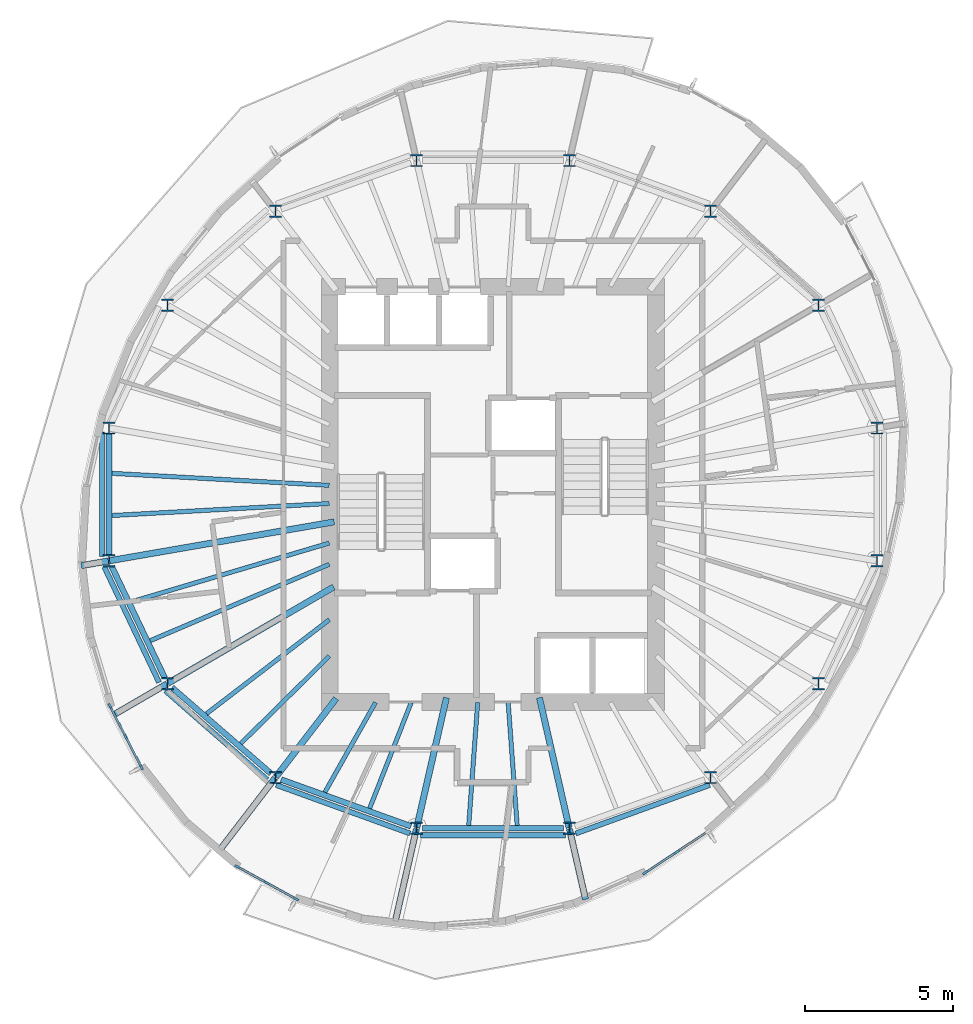
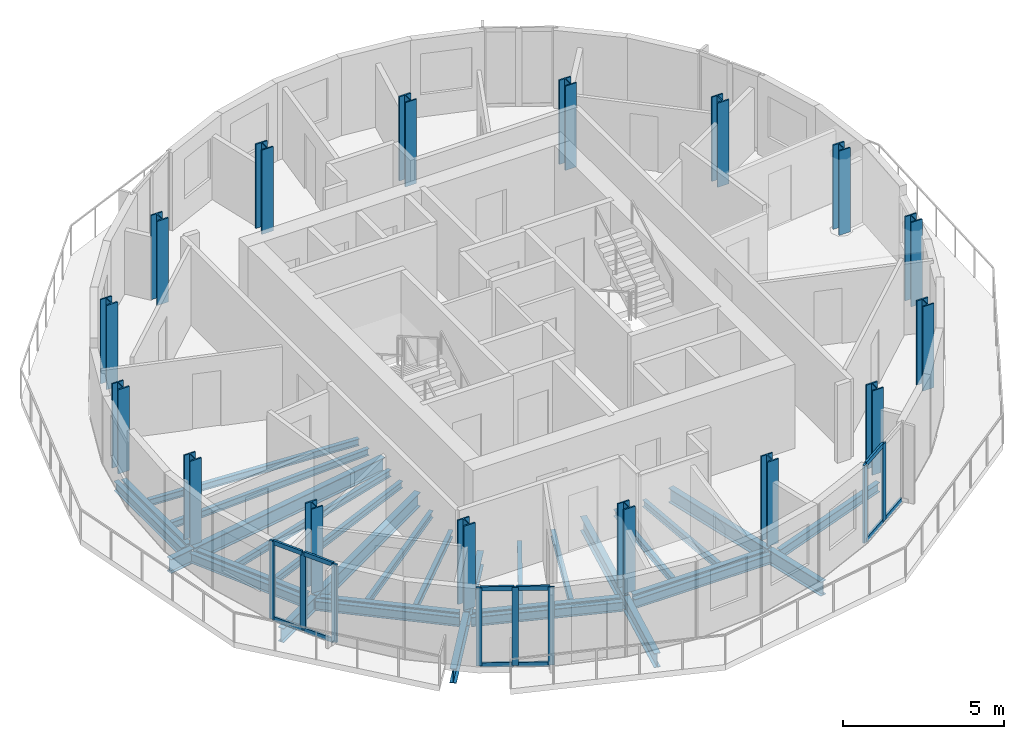
# One storey, part 1 of 11: 31 beams, 19 members, 16 columns, 3 elements without a shape of their own.
"""IFC4 building model written with IfcOpenShell, lengths in metres."""

from ifc_helpers import new_model, si_unit, direction, frame, origin, origin_2d, place, context, subcontext, project, spatial, rectangle, i_section, extrude, material, material_profile, profile_set, type_object, element, aggregate, save


model = new_model("IFC4")

# Units and contexts
model_context = context("Model", 3, precision=1e-05, world=origin(), true_north=direction((0.0, 1.0)))
body_context = subcontext(model_context, "Body", "Model", "MODEL_VIEW")
ifc_project = project(units=[si_unit("LENGTHUNIT", "METRE"), si_unit("AREAUNIT", "SQUARE_METRE"), si_unit("VOLUMEUNIT", "CUBIC_METRE"), si_unit("PLANEANGLEUNIT", "RADIAN"), si_unit("MASSUNIT", "GRAM", prefix="KILO")], contexts=[model_context])

# Site, building, storey
site_placement = place(None, origin())
site = spatial("IfcSite", under=ifc_project, at=site_placement, CompositionType="ELEMENT")
building_placement = place(site_placement, origin())
building = spatial("IfcBuilding", under=site, at=building_placement, Name="Veldorim Arch Residences", CompositionType="ELEMENT")
storey_placement = place(building_placement, frame((0.0, 0.0, 223.840087890625)))
storey = spatial("IfcBuildingStorey", under=building, at=storey_placement, Name="L67", CompositionType="ELEMENT", Elevation=223.840087890625)

# Columns
ifc_material_1 = material(Name="Steel S460", Category="steel")
ifc_material_profile_1 = material_profile(ifc_material_1, i_section(OverallWidth=0.406982421875, OverallDepth=0.4189453125, WebThickness=0.030517578125, FlangeThickness=0.04931640625, at=origin_2d()), Name="UC356x406x393")
ifc_profile_set_1 = profile_set([ifc_material_profile_1], Name="Steel S460")
column_type = type_object("IfcColumnType", Name="Structural Column UC356x406x393", PredefinedType="COLUMN", material=ifc_profile_set_1)
for number, where, z_axis, x_axis, name in (
    (1, (44.9462890625, 26.239501953125, 0.0), (0.0, 0.0, 1.0), (1.0, 0.0, 0.0), "L67 TC-Z4-01 perimeter column"),
    (2, (42.975341796875, 30.3779296875, 0.0), (0.0, 0.0, 1.0), (1.0, 0.0, 0.0), "L67 TC-Z4-02 perimeter column"),
    (3, (39.33349609375, 33.54541015625, 0.0), (0.0, 0.0, 1.0), (1.0, 0.0, 0.0), "L67 TC-Z4-03 perimeter column"),
    (4, (34.5751953125, 35.259521484375, 0.0), (0.0, 0.0, 1.0), (1.0, 0.0, 0.0), "L67 TC-Z4-04 perimeter column"),
    (5, (29.4248046875, 35.259521484375, 0.0), (0.0, 0.0, 1.0), (1.0, 0.0, 0.0), "L67 TC-Z4-05 perimeter column"),
    (6, (24.66650390625, 33.54541015625, 0.0), (0.0, 0.0, 1.0), (1.0, 0.0, 0.0), "L67 TC-Z4-06 perimeter column"),
    (7, (21.024658203125, 30.3779296875, 0.0), (0.0, 0.0, 1.0), (1.0, 0.0, 0.0), "L67 TC-Z4-07 perimeter column"),
    (8, (19.0537109375, 26.239501953125, 0.0), (0.0, 0.0, 1.0), (1.0, 0.0, 0.0), "L67 TC-Z4-08 perimeter column"),
    (9, (19.0537109375, 21.760498046875, 0.0), (0.0, 0.0, 1.0), (1.0, 0.0, 0.0), "L67 TC-Z4-09 perimeter column"),
    (10, (21.024658203125, 17.6220703125, 0.0), (0.0, 0.0, 1.0), (1.0, 0.0, 0.0), "L67 TC-Z4-10 perimeter column"),
    (11, (24.66650390625, 14.45458984375, 0.0), (0.0, 0.0, 1.0), (1.0, 0.0, 0.0), "L67 TC-Z4-11 perimeter column"),
    (12, (29.4248046875, 12.740478515625, 0.0), (0.0, 0.0, 1.0), (1.0, 0.0, 0.0), "L67 TC-Z4-12 perimeter column"),
    (13, (34.5751953125, 12.740478515625, 0.0), (0.0, 0.0, 1.0), (1.0, 0.0, 0.0), "L67 TC-Z4-13 perimeter column"),
    (14, (39.33349609375, 14.45458984375, 0.0), (0.0, 0.0, 1.0), (1.0, 0.0, 0.0), "L67 TC-Z4-14 perimeter column"),
    (15, (42.975341796875, 17.6220703125, 0.0), (0.0, 0.0, 1.0), (1.0, 0.0, 0.0), "L67 TC-Z4-15 perimeter column"),
    (16, (44.9462890625, 21.760498046875, 0.0), (0.0, 0.0, 1.0), (1.0, 0.0, 0.0), "L67 TC-Z4-16 perimeter column"),
):
    element("IfcColumn", number, at=place(storey_placement, frame(where, z_axis=z_axis, x_axis=x_axis)), inside=storey, type_object=column_type, Name=name, PredefinedType="COLUMN", context=body_context, shape_type="SweptSolid", body=[
        extrude(i_section(OverallWidth=0.406982421875, OverallDepth=0.4189453125, WebThickness=0.030517578125, FlangeThickness=0.04931640625, at=origin_2d()), origin(), (0.0, 0.0, 1.0), 3.199951171875),
    ])

# Beams
ifc_material_2 = material(Name="Steel S355", Category="steel")
ifc_material_profile_2 = material_profile(ifc_material_2, i_section(OverallWidth=0.2119140625, OverallDepth=0.54443359375, WebThickness=0.0126953125, FlangeThickness=0.021240234375, at=origin_2d()), Name="UB533x210x122")
ifc_profile_set_2 = profile_set([ifc_material_profile_2], Name="Steel S355")
beam_type_1 = type_object("IfcBeamType", Name="Structural Steel Beam UB533x210x122", PredefinedType="BEAM", material=ifc_profile_set_2)
beam_1_placement = place(storey_placement, frame((26.647705078125, 23.07421875, -0.512451171875), z_axis=(-0.985364974081, -0.170457818401, 0.0), x_axis=(0.170457818401, -0.985364974081, 0.0)))
element("IfcBeam", 17, at=beam_1_placement, inside=storey, type_object=beam_type_1, Name="L67 radial floor girder 09", PredefinedType="BEAM", context=body_context, shape_type="SweptSolid", body=[
    extrude(i_section(OverallWidth=0.2119140625, OverallDepth=0.54443359375, WebThickness=0.0126953125, FlangeThickness=0.021240234375, at=origin_2d()), origin(), (0.0, 0.0, 1.0), 7.68701171875),
])
beam_2_placement = place(storey_placement, frame((19.033935546875, 21.757080078125, -0.512451171875), z_axis=(-0.985342848414, -0.170585670791, 0.0), x_axis=(0.170585670791, -0.985342848414, 0.0)))
element("IfcBeam", 18, at=beam_2_placement, inside=storey, type_object=beam_type_1, Name="L67 radial edge cantilever girder 09", PredefinedType="BEAM", context=body_context, shape_type="SweptSolid", body=[
    extrude(i_section(OverallWidth=0.2119140625, OverallDepth=0.54443359375, WebThickness=0.0126953125, FlangeThickness=0.021240234375, at=origin_2d()), origin(), (0.0, 0.0, 1.0), 0.927490234375),
])
beam_3_placement = place(storey_placement, frame((26.629638671875, 20.87939453125, -0.512451171875), z_axis=(-0.864595736304, -0.502468121142, 0.0), x_axis=(0.502468121142, -0.864595736304, 0.0)))
element("IfcBeam", 19, at=beam_3_placement, inside=storey, type_object=beam_type_1, Name="L67 radial floor girder 10", PredefinedType="BEAM", context=body_context, shape_type="SweptSolid", body=[
    extrude(i_section(OverallWidth=0.2119140625, OverallDepth=0.54443359375, WebThickness=0.0126953125, FlangeThickness=0.021240234375, at=origin_2d()), origin(), (0.0, 0.0, 1.0), 6.462646484375),
])
beam_4_placement = place(storey_placement, frame((21.00732421875, 17.612060546875, -0.512451171875), z_axis=(-0.864613318974, -0.502437865465, 0.0), x_axis=(0.502437865465, -0.864613318974, 0.0)))
element("IfcBeam", 20, at=beam_4_placement, inside=storey, type_object=beam_type_1, Name="L67 radial edge cantilever girder 10", PredefinedType="BEAM", context=body_context, shape_type="SweptSolid", body=[
    extrude(i_section(OverallWidth=0.2119140625, OverallDepth=0.54443359375, WebThickness=0.0126953125, FlangeThickness=0.021240234375, at=origin_2d()), origin(), (0.0, 0.0, 1.0), 2.045166015625),
])
beam_5_placement = place(storey_placement, frame((26.71337890625, 17.118896484375, -0.512451171875), z_axis=(-0.609258442308, -0.792971721108, 0.0), x_axis=(0.792971721108, -0.609258442308, 0.0)))
element("IfcBeam", 21, at=beam_5_placement, inside=storey, type_object=beam_type_1, Name="L67 radial floor girder 11", PredefinedType="BEAM", context=body_context, shape_type="SweptSolid", body=[
    extrude(i_section(OverallWidth=0.2119140625, OverallDepth=0.54443359375, WebThickness=0.0126953125, FlangeThickness=0.021240234375, at=origin_2d()), origin(), (0.0, 0.0, 1.0), 3.339599609375),
])
beam_6_placement = place(storey_placement, frame((24.654296875, 14.438720703125, -0.512451171875), z_axis=(-0.609235463965, -0.792989375369, 0.0), x_axis=(0.792989375369, -0.609235463965, 0.0)))
element("IfcBeam", 22, at=beam_6_placement, inside=storey, type_object=beam_type_1, Name="L67 radial edge cantilever girder 11", PredefinedType="BEAM", context=body_context, shape_type="SweptSolid", body=[
    extrude(i_section(OverallWidth=0.2119140625, OverallDepth=0.54443359375, WebThickness=0.0126953125, FlangeThickness=0.021240234375, at=origin_2d()), origin(), (0.0, 0.0, 1.0), 3.103759765625),
])
beam_7_placement = place(storey_placement, frame((30.432373046875, 17.146240234375, -0.512451171875), z_axis=(-0.222952976993, -0.97482920045, 0.0), x_axis=(0.97482920045, -0.222952976993, 0.0)))
element("IfcBeam", 23, at=beam_7_placement, inside=storey, type_object=beam_type_1, Name="L67 radial floor girder 12", PredefinedType="BEAM", context=body_context, shape_type="SweptSolid", body=[
    extrude(i_section(OverallWidth=0.2119140625, OverallDepth=0.54443359375, WebThickness=0.0126953125, FlangeThickness=0.021240234375, at=origin_2d()), origin(), (0.0, 0.0, 1.0), 4.49951171875),
])
beam_8_placement = place(storey_placement, frame((29.42041015625, 12.72119140625, -0.512451171875), z_axis=(-0.223019615736, -0.97481395712, 0.0), x_axis=(0.97481395712, -0.223019615736, 0.0)))
element("IfcBeam", 24, at=beam_8_placement, inside=storey, type_object=beam_type_1, Name="L67 radial edge cantilever girder 12", PredefinedType="BEAM", context=body_context, shape_type="SweptSolid", body=[
    extrude(i_section(OverallWidth=0.2119140625, OverallDepth=0.54443359375, WebThickness=0.0126953125, FlangeThickness=0.021240234375, at=origin_2d()), origin(), (0.0, 0.0, 1.0), 3.2666015625),
])
beam_9_placement = place(storey_placement, frame((33.567626953125, 17.146240234375, -0.512451171875), z_axis=(0.222952976993, -0.97482920045, 0.0), x_axis=(0.97482920045, 0.222952976993, 0.0)))
element("IfcBeam", 25, at=beam_9_placement, inside=storey, type_object=beam_type_1, Name="L67 radial floor girder 13", PredefinedType="BEAM", context=body_context, shape_type="SweptSolid", body=[
    extrude(i_section(OverallWidth=0.2119140625, OverallDepth=0.54443359375, WebThickness=0.0126953125, FlangeThickness=0.021240234375, at=origin_2d()), origin(), (0.0, 0.0, 1.0), 4.49951171875),
])
beam_10_placement = place(storey_placement, frame((34.57958984375, 12.72119140625, -0.512451171875), z_axis=(0.222985349642, -0.974821795943, 0.0), x_axis=(0.974821795943, 0.222985349642, 0.0)))
element("IfcBeam", 26, at=beam_10_placement, inside=storey, type_object=beam_type_1, Name="L67 radial edge cantilever girder 13", PredefinedType="BEAM", context=body_context, shape_type="SweptSolid", body=[
    extrude(i_section(OverallWidth=0.2119140625, OverallDepth=0.54443359375, WebThickness=0.0126953125, FlangeThickness=0.021240234375, at=origin_2d()), origin(), (0.0, 0.0, 1.0), 2.43603515625),
])
ifc_material_3 = material(Name="Steel S355", Category="steel")
ifc_material_profile_3 = material_profile(ifc_material_3, i_section(OverallWidth=0.146484375, OverallDepth=0.256103515625, WebThickness=0.00634765625, FlangeThickness=0.010986328125, at=origin_2d()), Name="UB254x146x37")
ifc_profile_set_3 = profile_set([ifc_material_profile_3], Name="Steel S355")
beam_type_2 = type_object("IfcBeamType", Name="Structural Steel Joist UB254x146x37", PredefinedType="JOIST", material=ifc_profile_set_3)
for number, where, z_axis, x_axis, name in (
    (27, (26.47998046875, 24.3056640625, -0.3681640625), (-0.998472000884, 0.055259962464, 0.0), (-0.055259962464, -0.998472000884, 0.0), "L67 secondary radial floor joist 08-1"),
    (28, (26.47998046875, 23.6943359375, -0.3681640625), (-0.998472000884, -0.055259962464, 0.0), (0.055259962464, -0.998472000884, 0.0), "L67 secondary radial floor joist 08-2"),
):
    element("IfcBeam", number, at=place(storey_placement, frame(where, z_axis=z_axis, x_axis=x_axis)), inside=storey, type_object=beam_type_2, Name=name, PredefinedType="JOIST", context=body_context, shape_type="SweptSolid", body=[
        extrude(i_section(OverallWidth=0.146484375, OverallDepth=0.256103515625, WebThickness=0.00634765625, FlangeThickness=0.010986328125, at=origin_2d()), origin(), (0.0, 0.0, 1.0), 7.33837890625),
    ])
beam_11_placement = place(storey_placement, frame((26.480712890625, 22.360595703125, -0.3681640625), z_axis=(-0.958594432792, -0.284774846889, 0.0), x_axis=(0.284774846889, -0.958594432792, 0.0)))
element("IfcBeam", 29, at=beam_11_placement, inside=storey, type_object=beam_type_2, Name="L67 secondary radial floor joist 09-1", PredefinedType="JOIST", context=body_context, shape_type="SweptSolid", body=[
    extrude(i_section(OverallWidth=0.146484375, OverallDepth=0.256103515625, WebThickness=0.00634765625, FlangeThickness=0.010986328125, at=origin_2d()), origin(), (0.0, 0.0, 1.0), 6.949462890625),
])
beam_12_placement = place(storey_placement, frame((26.481689453125, 21.644287109375, -0.3681640625), z_axis=(-0.919725161652, -0.392562895629, 0.0), x_axis=(0.392562895629, -0.919725161652, 0.0)))
element("IfcBeam", 30, at=beam_12_placement, inside=storey, type_object=beam_type_2, Name="L67 secondary radial floor joist 09-2", PredefinedType="JOIST", context=body_context, shape_type="SweptSolid", body=[
    extrude(i_section(OverallWidth=0.146484375, OverallDepth=0.256103515625, WebThickness=0.00634765625, FlangeThickness=0.010986328125, at=origin_2d()), origin(), (0.0, 0.0, 1.0), 6.5625),
])
beam_13_placement = place(storey_placement, frame((26.484130859375, 19.777099609375, -0.3681640625), z_axis=(-0.794013672216, -0.607899899929, 0.0), x_axis=(0.607899899929, -0.794013672216, 0.0)))
element("IfcBeam", 31, at=beam_13_placement, inside=storey, type_object=beam_type_2, Name="L67 secondary radial floor joist 10-1", PredefinedType="JOIST", context=body_context, shape_type="SweptSolid", body=[
    extrude(i_section(OverallWidth=0.146484375, OverallDepth=0.256103515625, WebThickness=0.00634765625, FlangeThickness=0.010986328125, at=origin_2d()), origin(), (0.0, 0.0, 1.0), 5.217041015625),
])
beam_14_placement = place(storey_placement, frame((26.48583984375, 18.55224609375, -0.3681640625), z_axis=(-0.711396725432, -0.702790650937, 0.0), x_axis=(0.702790650937, -0.711396725432, 0.0)))
element("IfcBeam", 32, at=beam_14_placement, inside=storey, type_object=beam_type_2, Name="L67 secondary radial floor joist 10-2", PredefinedType="JOIST", context=body_context, shape_type="SweptSolid", body=[
    extrude(i_section(OverallWidth=0.146484375, OverallDepth=0.256103515625, WebThickness=0.00634765625, FlangeThickness=0.010986328125, at=origin_2d()), origin(), (0.0, 0.0, 1.0), 4.198486328125),
])
beam_15_placement = place(storey_placement, frame((28.039794921875, 16.982666015625, -0.3681640625), z_axis=(-0.491452469585, -0.870904397818, 0.0), x_axis=(0.870904397818, -0.491452469585, 0.0)))
element("IfcBeam", 33, at=beam_15_placement, inside=storey, type_object=beam_type_2, Name="L67 secondary radial floor joist 11-1", PredefinedType="JOIST", context=body_context, shape_type="SweptSolid", body=[
    extrude(i_section(OverallWidth=0.146484375, OverallDepth=0.256103515625, WebThickness=0.00634765625, FlangeThickness=0.010986328125, at=origin_2d()), origin(), (0.0, 0.0, 1.0), 3.472412109375),
])
beam_16_placement = place(storey_placement, frame((29.24365234375, 16.9814453125, -0.3681640625), z_axis=(-0.365581383042, -0.930779379001, 0.0), x_axis=(0.930779379001, -0.365581383042, 0.0)))
element("IfcBeam", 34, at=beam_16_placement, inside=storey, type_object=beam_type_2, Name="L67 secondary radial floor joist 11-2", PredefinedType="JOIST", context=body_context, shape_type="SweptSolid", body=[
    extrude(i_section(OverallWidth=0.146484375, OverallDepth=0.256103515625, WebThickness=0.00634765625, FlangeThickness=0.010986328125, at=origin_2d()), origin(), (0.0, 0.0, 1.0), 3.83056640625),
])
for number, where, z_axis, x_axis, name in (
    (35, (31.486083984375, 16.97998046875, -0.3681640625), (-0.072985625899, -0.997332992742, 0.0), (0.997332992742, -0.072985625899, 0.0), "L67 secondary radial floor joist 12-1"),
    (36, (32.513916015625, 16.97998046875, -0.3681640625), (0.072985625899, -0.997332992742, 0.0), (0.997332992742, 0.072985625899, 0.0), "L67 secondary radial floor joist 12-2"),
):
    element("IfcBeam", number, at=place(storey_placement, frame(where, z_axis=z_axis, x_axis=x_axis)), inside=storey, type_object=beam_type_2, Name=name, PredefinedType="JOIST", context=body_context, shape_type="SweptSolid", body=[
        extrude(i_section(OverallWidth=0.146484375, OverallDepth=0.256103515625, WebThickness=0.00634765625, FlangeThickness=0.010986328125, at=origin_2d()), origin(), (0.0, 0.0, 1.0), 4.151123046875),
    ])
ifc_material_4 = material(Name="Steel S355", Category="steel")
ifc_material_profile_4 = material_profile(ifc_material_4, i_section(OverallWidth=0.172119140625, OverallDepth=0.35791015625, WebThickness=0.008056640625, FlangeThickness=0.012939453125, at=origin_2d()), Name="UB356x171x57")
ifc_profile_set_4 = profile_set([ifc_material_profile_4], Name="Steel S355")
beam_type_3 = type_object("IfcBeamType", Name="Structural Steel Spandrel UB356x171x57", PredefinedType="SPANDREL", material=ifc_profile_set_4)
beam_17_placement = place(storey_placement, frame((18.817138671875, 26.101318359375, -0.439208984375), z_axis=(0.0, -1.0, 0.0), x_axis=(1.0, 0.0, 0.0)))
element("IfcBeam", 37, at=beam_17_placement, inside=storey, type_object=beam_type_3, Name="L67 perimeter chord spandrel beam 08", PredefinedType="SPANDREL", context=body_context, shape_type="SweptSolid", body=[
    extrude(i_section(OverallWidth=0.172119140625, OverallDepth=0.35791015625, WebThickness=0.008056640625, FlangeThickness=0.012939453125, at=origin_2d()), origin(), (0.0, 0.0, 1.0), 4.20263671875),
])
beam_18_placement = place(storey_placement, frame((18.893798828125, 21.5576171875, -0.439208984375), z_axis=(0.428468601304, -0.903556670994, 0.0), x_axis=(0.903556670994, 0.428468601304, 0.0)))
element("IfcBeam", 38, at=beam_18_placement, inside=storey, type_object=beam_type_3, Name="L67 perimeter chord spandrel beam 09", PredefinedType="SPANDREL", context=body_context, shape_type="SweptSolid", body=[
    extrude(i_section(OverallWidth=0.172119140625, OverallDepth=0.35791015625, WebThickness=0.008056640625, FlangeThickness=0.012939453125, at=origin_2d()), origin(), (0.0, 0.0, 1.0), 4.31005859375),
])
beam_19_placement = place(storey_placement, frame((20.951904296875, 17.3837890625, -0.439208984375), z_axis=(0.752868439096, -0.658171036596, 0.0), x_axis=(0.658171036596, 0.752868439096, 0.0)))
element("IfcBeam", 39, at=beam_19_placement, inside=storey, type_object=beam_type_3, Name="L67 perimeter chord spandrel beam 10", PredefinedType="SPANDREL", context=body_context, shape_type="SweptSolid", body=[
    extrude(i_section(OverallWidth=0.172119140625, OverallDepth=0.35791015625, WebThickness=0.008056640625, FlangeThickness=0.012939453125, at=origin_2d()), origin(), (0.0, 0.0, 1.0), 4.560791015625),
])
beam_20_placement = place(storey_placement, frame((24.688720703125, 14.203369140625, -0.439208984375), z_axis=(0.940178823137, -0.340681347486, 0.0), x_axis=(0.340681347486, 0.940178823137, 0.0)))
element("IfcBeam", 40, at=beam_20_placement, inside=storey, type_object=beam_type_3, Name="L67 perimeter chord spandrel beam 11", PredefinedType="SPANDREL", context=body_context, shape_type="SweptSolid", body=[
    extrude(i_section(OverallWidth=0.172119140625, OverallDepth=0.35791015625, WebThickness=0.008056640625, FlangeThickness=0.012939453125, at=origin_2d()), origin(), (0.0, 0.0, 1.0), 4.80126953125),
])
beam_21_placement = place(storey_placement, frame((29.55029296875, 12.506591796875, -0.439208984375), z_axis=(1.0, 0.0, 0.0), x_axis=(0.0, 1.0, 0.0)))
element("IfcBeam", 41, at=beam_21_placement, inside=storey, type_object=beam_type_3, Name="L67 perimeter chord spandrel beam 12", PredefinedType="SPANDREL", context=body_context, shape_type="SweptSolid", body=[
    extrude(i_section(OverallWidth=0.172119140625, OverallDepth=0.35791015625, WebThickness=0.008056640625, FlangeThickness=0.012939453125, at=origin_2d()), origin(), (0.0, 0.0, 1.0), 4.8994140625),
])
beam_22_placement = place(storey_placement, frame((34.797119140625, 12.567626953125, -0.439208984375), z_axis=(0.940178823137, 0.340681347486, 0.0), x_axis=(-0.340681347486, 0.940178823137, 0.0)))
element("IfcBeam", 42, at=beam_22_placement, inside=storey, type_object=beam_type_3, Name="L67 perimeter chord spandrel beam 13", PredefinedType="SPANDREL", context=body_context, shape_type="SweptSolid", body=[
    extrude(i_section(OverallWidth=0.172119140625, OverallDepth=0.35791015625, WebThickness=0.008056640625, FlangeThickness=0.012939453125, at=origin_2d()), origin(), (0.0, 0.0, 1.0), 4.80126953125),
])
ifc_material_5 = material(Name="Steel S355", Category="steel")
ifc_material_profile_5 = material_profile(ifc_material_5, i_section(OverallWidth=0.19140625, OverallDepth=0.4599609375, WebThickness=0.010009765625, FlangeThickness=0.01611328125, at=origin_2d()), Name="UB457x191x82")
ifc_profile_set_5 = profile_set([ifc_material_profile_5], Name="Steel S355")
beam_type_4 = type_object("IfcBeamType", Name="Structural Steel Spandrel UB457x191x82", PredefinedType="SPANDREL", material=ifc_profile_set_5)
beam_23_placement = place(storey_placement, frame((19.0537109375, 26.0361328125, -0.469970703125), z_axis=(0.0, -1.0, 0.0), x_axis=(1.0, 0.0, 0.0)))
element("IfcBeam", 43, at=beam_23_placement, inside=storey, type_object=beam_type_4, Name="L67 perimeter ring tie beam 08", PredefinedType="SPANDREL", context=body_context, shape_type="SweptSolid", body=[
    extrude(i_section(OverallWidth=0.19140625, OverallDepth=0.4599609375, WebThickness=0.010009765625, FlangeThickness=0.01611328125, at=origin_2d()), origin(), (0.0, 0.0, 1.0), 4.072265625),
])
beam_24_placement = place(storey_placement, frame((19.14111328125, 21.57666015625, -0.469970703125), z_axis=(0.429992574394, -0.902832424078, 0.0), x_axis=(0.902832424078, 0.429992574394, 0.0)))
element("IfcBeam", 44, at=beam_24_placement, inside=storey, type_object=beam_type_4, Name="L67 perimeter ring tie beam 09", PredefinedType="SPANDREL", context=body_context, shape_type="SweptSolid", body=[
    extrude(i_section(OverallWidth=0.19140625, OverallDepth=0.4599609375, WebThickness=0.010009765625, FlangeThickness=0.01611328125, at=origin_2d()), origin(), (0.0, 0.0, 1.0), 4.176513671875),
])
beam_25_placement = place(storey_placement, frame((21.17822265625, 17.488525390625, -0.469970703125), z_axis=(0.754534162517, -0.656260769508, 0.0), x_axis=(0.656260769508, 0.754534162517, 0.0)))
element("IfcBeam", 45, at=beam_25_placement, inside=storey, type_object=beam_type_4, Name="L67 perimeter ring tie beam 10", PredefinedType="SPANDREL", context=body_context, shape_type="SweptSolid", body=[
    extrude(i_section(OverallWidth=0.19140625, OverallDepth=0.4599609375, WebThickness=0.010009765625, FlangeThickness=0.01611328125, at=origin_2d()), origin(), (0.0, 0.0, 1.0), 4.419677734375),
])
beam_26_placement = place(storey_placement, frame((24.85791015625, 14.3857421875, -0.469970703125), z_axis=(0.940819134121, -0.338909068736, 0.0), x_axis=(0.338909068736, 0.940819134121, 0.0)))
element("IfcBeam", 46, at=beam_26_placement, inside=storey, type_object=beam_type_4, Name="L67 perimeter ring tie beam 11", PredefinedType="SPANDREL", context=body_context, shape_type="SweptSolid", body=[
    extrude(i_section(OverallWidth=0.19140625, OverallDepth=0.4599609375, WebThickness=0.010009765625, FlangeThickness=0.01611328125, at=origin_2d()), origin(), (0.0, 0.0, 1.0), 4.650634765625),
])
beam_27_placement = place(storey_placement, frame((29.62841796875, 12.740478515625, -0.469970703125), z_axis=(1.0, 0.0, 0.0), x_axis=(0.0, 1.0, 0.0)))
element("IfcBeam", 47, at=beam_27_placement, inside=storey, type_object=beam_type_4, Name="L67 perimeter ring tie beam 12", PredefinedType="SPANDREL", context=body_context, shape_type="SweptSolid", body=[
    extrude(i_section(OverallWidth=0.19140625, OverallDepth=0.4599609375, WebThickness=0.010009765625, FlangeThickness=0.01611328125, at=origin_2d()), origin(), (0.0, 0.0, 1.0), 4.7431640625),
])

# Curtain wall, members
ifc_material_6 = material(Name="Aluminium", Category="aluminium")
curtain_wall_type = type_object("IfcCurtainWallType", Name="Zone 4 High-Altitude Unitised Curtain Wall", PredefinedType="NOTDEFINED", material=ifc_material_6)
curtain_wall_1_placement = place(storey_placement, origin())
curtain_wall_1 = element("IfcCurtainWall", 48, at=curtain_wall_1_placement, inside=storey, type_object=curtain_wall_type, Name="L67 unitised curtain wall bay 16", PredefinedType="NOTDEFINED")
ifc_material_7 = material(Name="Aluminium", Category="aluminium")
ifc_material_profile_6 = material_profile(ifc_material_7, rectangle(XDim=0.074951171875, YDim=0.195068359375, at=origin_2d()), Name="ALU_MUL_75x195")
ifc_profile_set_6 = profile_set([ifc_material_profile_6], Name="Aluminium")
member_type_1 = type_object("IfcMemberType", Name="Zone 4 High-Altitude Unitised Curtain Wall Mullion 75x195", PredefinedType="MULLION", material=ifc_profile_set_6)
member_1_placement = place(storey_placement, frame((20.14453125, 14.80322265625, 0.0), z_axis=(0.0, 0.0, 1.0), x_axis=(-0.889131048935, -0.457652682523, 0.0)))
member_1 = element("IfcMember", 49, at=member_1_placement, type_object=member_type_1, Name="CW-Z4 mullion 1", PredefinedType="MULLION", context=body_context, shape_type="SweptSolid", body=[
    extrude(rectangle(XDim=0.074951171875, YDim=0.195068359375, at=origin_2d()), origin(), (0.0, 0.0, 1.0), 2.9599609375),
])
member_2_placement = place(storey_placement, frame((19.615478515625, 15.83154296875, 0.0), z_axis=(0.0, 0.0, 1.0), x_axis=(-0.889131048935, -0.457652682523, 0.0)))
member_2 = element("IfcMember", 50, at=member_2_placement, type_object=member_type_1, Name="CW-Z4 mullion 2", PredefinedType="MULLION", context=body_context, shape_type="SweptSolid", body=[
    extrude(rectangle(XDim=0.074951171875, YDim=0.195068359375, at=origin_2d()), origin(), (0.0, 0.0, 1.0), 2.9599609375),
])
member_3_placement = place(storey_placement, frame((19.086181640625, 16.859619140625, 0.0), z_axis=(0.0, 0.0, 1.0), x_axis=(-0.889131048935, -0.457652682523, 0.0)))
member_3 = element("IfcMember", 51, at=member_3_placement, type_object=member_type_1, Name="CW-Z4 mullion 3", PredefinedType="MULLION", context=body_context, shape_type="SweptSolid", body=[
    extrude(rectangle(XDim=0.074951171875, YDim=0.195068359375, at=origin_2d()), origin(), (0.0, 0.0, 1.0), 2.9599609375),
])

curtain_wall_2_placement = place(storey_placement, origin())
curtain_wall_2 = element("IfcCurtainWall", 52, at=curtain_wall_2_placement, inside=storey, type_object=curtain_wall_type, Name="L67 unitised curtain wall bay 19", PredefinedType="NOTDEFINED")
member_4_placement = place(storey_placement, frame((25.35693359375, 10.360107421875, 0.0), z_axis=(0.0, 0.0, 1.0), x_axis=(-0.48195342655, -0.876196835555, 0.0)))
member_4 = element("IfcMember", 53, at=member_4_placement, type_object=member_type_1, Name="CW-Z4 mullion 1", PredefinedType="MULLION", context=body_context, shape_type="SweptSolid", body=[
    extrude(rectangle(XDim=0.074951171875, YDim=0.195068359375, at=origin_2d()), origin(), (0.0, 0.0, 1.0), 2.9599609375),
])
member_5_placement = place(storey_placement, frame((24.371337890625, 10.902099609375, 0.0), z_axis=(0.0, 0.0, 1.0), x_axis=(-0.48195342655, -0.876196835555, 0.0)))
member_5 = element("IfcMember", 54, at=member_5_placement, type_object=member_type_1, Name="CW-Z4 mullion 2", PredefinedType="MULLION", context=body_context, shape_type="SweptSolid", body=[
    extrude(rectangle(XDim=0.074951171875, YDim=0.195068359375, at=origin_2d()), origin(), (0.0, 0.0, 1.0), 2.9599609375),
])
member_6_placement = place(storey_placement, frame((23.3857421875, 11.4443359375, 0.0), z_axis=(0.0, 0.0, 1.0), x_axis=(-0.48195342655, -0.876196835555, 0.0)))
member_6 = element("IfcMember", 55, at=member_6_placement, type_object=member_type_1, Name="CW-Z4 mullion 3", PredefinedType="MULLION", context=body_context, shape_type="SweptSolid", body=[
    extrude(rectangle(XDim=0.074951171875, YDim=0.195068359375, at=origin_2d()), origin(), (0.0, 0.0, 1.0), 2.9599609375),
])

curtain_wall_3_placement = place(storey_placement, origin())
curtain_wall_3 = element("IfcCurtainWall", 56, at=curtain_wall_3_placement, inside=storey, type_object=curtain_wall_type, Name="L67 unitised curtain wall bay 25", PredefinedType="NOTDEFINED")
member_7_placement = place(storey_placement, frame((38.195556640625, 11.94140625, 0.0), z_axis=(0.0, 0.0, 1.0), x_axis=(0.550061569233, -0.835124104582, 0.0)))
member_7 = element("IfcMember", 57, at=member_7_placement, type_object=member_type_1, Name="CW-Z4 mullion 2", PredefinedType="MULLION", context=body_context, shape_type="SweptSolid", body=[
    extrude(rectangle(XDim=0.074951171875, YDim=0.195068359375, at=origin_2d()), origin(), (0.0, 0.0, 1.0), 2.9599609375),
])
member_8_placement = place(storey_placement, frame((37.13623046875, 11.243896484375, 0.0), z_axis=(0.0, 0.0, 1.0), x_axis=(0.550061569233, -0.835124104582, 0.0)))
member_8 = element("IfcMember", 58, at=member_8_placement, type_object=member_type_1, Name="CW-Z4 mullion 3", PredefinedType="MULLION", context=body_context, shape_type="SweptSolid", body=[
    extrude(rectangle(XDim=0.074951171875, YDim=0.195068359375, at=origin_2d()), origin(), (0.0, 0.0, 1.0), 2.9599609375),
])

# Member
ifc_material_8 = material(Name="Aluminium", Category="aluminium")
ifc_material_profile_7 = material_profile(ifc_material_8, rectangle(XDim=0.074951171875, YDim=0.1650390625, at=origin_2d()), Name="ALU_TRN_75x165")
ifc_profile_set_7 = profile_set([ifc_material_profile_7], Name="Aluminium")
member_type_2 = type_object("IfcMemberType", Name="Zone 4 High-Altitude Unitised Curtain Wall Transom 75x165", PredefinedType="USERDEFINED", material=ifc_profile_set_7)
member_9_placement = place(storey_placement, frame((20.12744140625, 14.836669921875, 0.037353515625), z_axis=(-0.457659181253, 0.889127703885, 0.0), x_axis=(-0.889127703885, -0.457659181253, 0.0)))
member_9 = element("IfcMember", 59, at=member_9_placement, type_object=member_type_2, Name="CW-Z4 transom 1.1", ObjectType="TRANSOM", PredefinedType="USERDEFINED", context=body_context, shape_type="SweptSolid", body=[
    extrude(rectangle(XDim=0.074951171875, YDim=0.1650390625, at=origin_2d()), origin(), (0.0, 0.0, 1.0), 1.081298828125),
])

member_10_placement = place(storey_placement, frame((20.12744140625, 14.836669921875, 2.92236328125), z_axis=(-0.457659181253, 0.889127703885, 0.0), x_axis=(-0.889127703885, -0.457659181253, 0.0)))
member_10 = element("IfcMember", 60, at=member_10_placement, type_object=member_type_2, Name="CW-Z4 transom 1.2", ObjectType="TRANSOM", PredefinedType="USERDEFINED", context=body_context, shape_type="SweptSolid", body=[
    extrude(rectangle(XDim=0.074951171875, YDim=0.1650390625, at=origin_2d()), origin(), (0.0, 0.0, 1.0), 1.081298828125),
])

member_11_placement = place(storey_placement, frame((19.59814453125, 15.86474609375, 0.037353515625), z_axis=(-0.457567322801, 0.889174980026, 0.0), x_axis=(-0.889174980026, -0.457567322801, 0.0)))
member_11 = element("IfcMember", 61, at=member_11_placement, type_object=member_type_2, Name="CW-Z4 transom 2.1", ObjectType="TRANSOM", PredefinedType="USERDEFINED", context=body_context, shape_type="SweptSolid", body=[
    extrude(rectangle(XDim=0.074951171875, YDim=0.1650390625, at=origin_2d()), origin(), (0.0, 0.0, 1.0), 1.08154296875),
])

member_12_placement = place(storey_placement, frame((19.59814453125, 15.86474609375, 2.92236328125), z_axis=(-0.457567322801, 0.889174980026, 0.0), x_axis=(-0.889174980026, -0.457567322801, 0.0)))
member_12 = element("IfcMember", 62, at=member_12_placement, type_object=member_type_2, Name="CW-Z4 transom 2.2", ObjectType="TRANSOM", PredefinedType="USERDEFINED", context=body_context, shape_type="SweptSolid", body=[
    extrude(rectangle(XDim=0.074951171875, YDim=0.1650390625, at=origin_2d()), origin(), (0.0, 0.0, 1.0), 1.08154296875),
])

aggregate(curtain_wall_1, [member_1, member_2, member_3, member_9, member_10, member_11, member_12])

member_13_placement = place(storey_placement, frame((25.323974609375, 10.378173828125, 0.037353515625), z_axis=(-0.876255185149, 0.481847331112, 0.0), x_axis=(-0.481847331112, -0.876255185149, 0.0)))
member_13 = element("IfcMember", 63, at=member_13_placement, type_object=member_type_2, Name="CW-Z4 transom 1.1", ObjectType="TRANSOM", PredefinedType="USERDEFINED", context=body_context, shape_type="SweptSolid", body=[
    extrude(rectangle(XDim=0.074951171875, YDim=0.1650390625, at=origin_2d()), origin(), (0.0, 0.0, 1.0), 1.0498046875),
])

member_14_placement = place(storey_placement, frame((25.323974609375, 10.378173828125, 2.92236328125), z_axis=(-0.876255185149, 0.481847331112, 0.0), x_axis=(-0.481847331112, -0.876255185149, 0.0)))
member_14 = element("IfcMember", 64, at=member_14_placement, type_object=member_type_2, Name="CW-Z4 transom 1.2", ObjectType="TRANSOM", PredefinedType="USERDEFINED", context=body_context, shape_type="SweptSolid", body=[
    extrude(rectangle(XDim=0.074951171875, YDim=0.1650390625, at=origin_2d()), origin(), (0.0, 0.0, 1.0), 1.0498046875),
])

member_15_placement = place(storey_placement, frame((24.33837890625, 10.920166015625, 0.037353515625), z_axis=(-0.876156989658, 0.482025859756, 0.0), x_axis=(-0.482025859756, -0.876156989658, 0.0)))
member_15 = element("IfcMember", 65, at=member_15_placement, type_object=member_type_2, Name="CW-Z4 transom 2.1", ObjectType="TRANSOM", PredefinedType="USERDEFINED", context=body_context, shape_type="SweptSolid", body=[
    extrude(rectangle(XDim=0.074951171875, YDim=0.1650390625, at=origin_2d()), origin(), (0.0, 0.0, 1.0), 1.050048828125),
])

member_16_placement = place(storey_placement, frame((24.33837890625, 10.920166015625, 2.92236328125), z_axis=(-0.876156989658, 0.482025859756, 0.0), x_axis=(-0.482025859756, -0.876156989658, 0.0)))
member_16 = element("IfcMember", 66, at=member_16_placement, type_object=member_type_2, Name="CW-Z4 transom 2.2", ObjectType="TRANSOM", PredefinedType="USERDEFINED", context=body_context, shape_type="SweptSolid", body=[
    extrude(rectangle(XDim=0.074951171875, YDim=0.1650390625, at=origin_2d()), origin(), (0.0, 0.0, 1.0), 1.050048828125),
])

aggregate(curtain_wall_2, [member_4, member_5, member_6, member_13, member_14, member_15, member_16])

member_17_placement = place(storey_placement, frame((39.223388671875, 12.61865234375, 0.037353515625), z_axis=(-0.835090637281, -0.55011237718, 0.0), x_axis=(0.55011237718, -0.835090637281, 0.0)))
member_17 = element("IfcMember", 67, at=member_17_placement, type_object=member_type_2, Name="CW-Z4 transom 1.1", ObjectType="TRANSOM", PredefinedType="USERDEFINED", context=body_context, shape_type="SweptSolid", body=[
    extrude(rectangle(XDim=0.074951171875, YDim=0.1650390625, at=origin_2d()), origin(), (0.0, 0.0, 1.0), 1.193359375),
])

member_18_placement = place(storey_placement, frame((38.164306640625, 11.9208984375, 0.037353515625), z_axis=(-0.835090637281, -0.55011237718, 0.0), x_axis=(0.55011237718, -0.835090637281, 0.0)))
member_18 = element("IfcMember", 68, at=member_18_placement, type_object=member_type_2, Name="CW-Z4 transom 2.1", ObjectType="TRANSOM", PredefinedType="USERDEFINED", context=body_context, shape_type="SweptSolid", body=[
    extrude(rectangle(XDim=0.074951171875, YDim=0.1650390625, at=origin_2d()), origin(), (0.0, 0.0, 1.0), 1.193359375),
])

member_19_placement = place(storey_placement, frame((38.164306640625, 11.9208984375, 2.92236328125), z_axis=(-0.835090637281, -0.55011237718, 0.0), x_axis=(0.55011237718, -0.835090637281, 0.0)))
member_19 = element("IfcMember", 69, at=member_19_placement, type_object=member_type_2, Name="CW-Z4 transom 2.2", ObjectType="TRANSOM", PredefinedType="USERDEFINED", context=body_context, shape_type="SweptSolid", body=[
    extrude(rectangle(XDim=0.074951171875, YDim=0.1650390625, at=origin_2d()), origin(), (0.0, 0.0, 1.0), 1.193359375),
])

aggregate(curtain_wall_3, [member_7, member_8, member_17, member_18, member_19])

save(model, "model.ifc")
